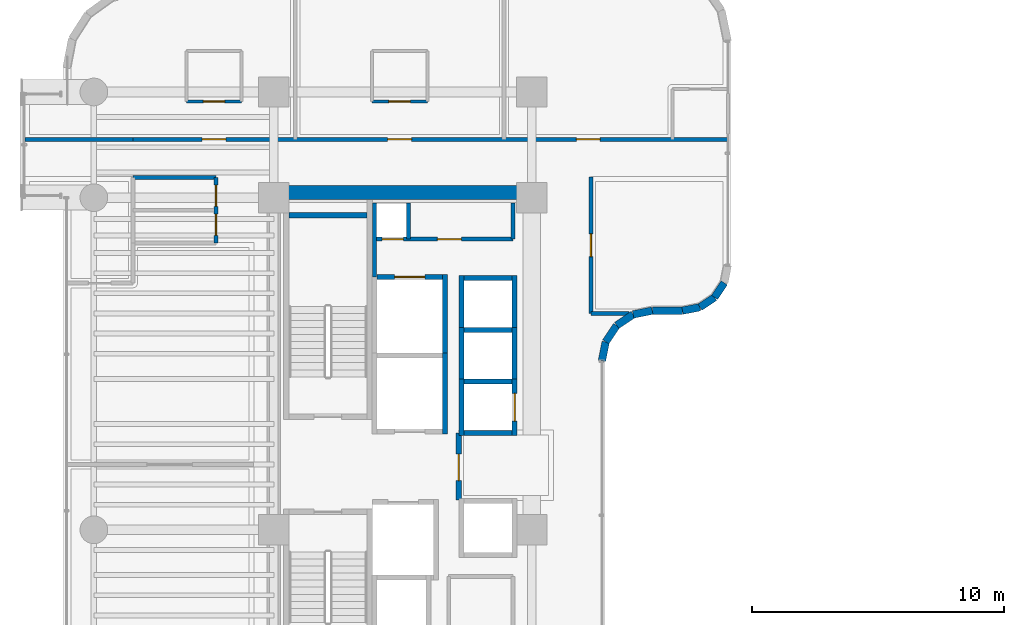
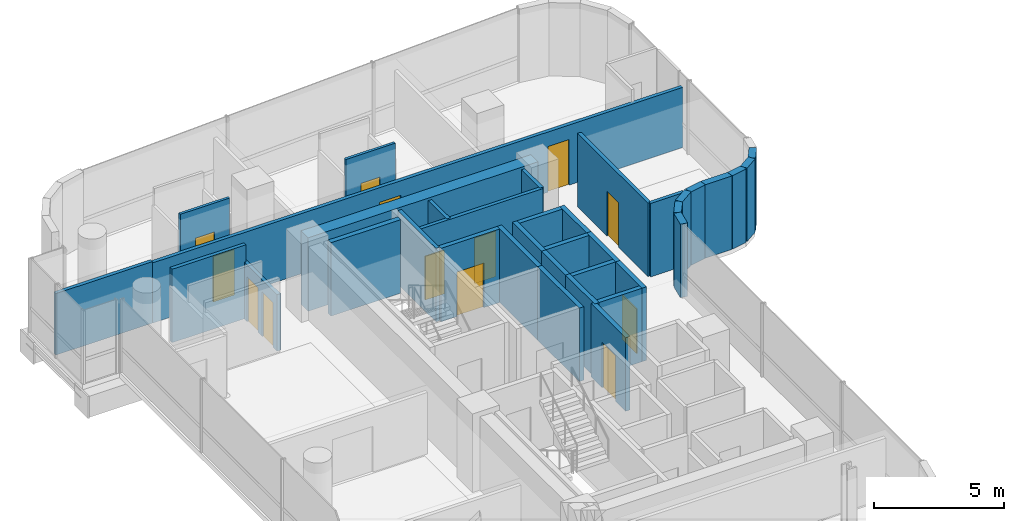
# One storey, part 26 of 33: 36 walls, 13 doors, 13 openings.
"""IFC4 building model written with IfcOpenShell, lengths in metres."""

from ifc_helpers import new_model, si_unit, direction, frame, frame_2d, origin, place, context, subcontext, project, spatial, rectangle, extrude, material, layer, layer_set, type_object, element, fill, save


model = new_model("IFC4")

# Units and contexts
model_context = context("Model", 3, precision=1e-05, world=origin(), true_north=direction((0.0, 1.0)))
body_context = subcontext(model_context, "Body", "Model", "MODEL_VIEW")
ifc_project = project(units=[si_unit("LENGTHUNIT", "METRE"), si_unit("AREAUNIT", "SQUARE_METRE"), si_unit("VOLUMEUNIT", "CUBIC_METRE"), si_unit("PLANEANGLEUNIT", "RADIAN"), si_unit("MASSUNIT", "GRAM", prefix="KILO")], contexts=[model_context])

# Site, building, storey
site_placement = place(None, origin())
site = spatial("IfcSite", under=ifc_project, at=site_placement, CompositionType="ELEMENT")
building_placement = place(site_placement, origin())
building = spatial("IfcBuilding", under=site, at=building_placement, Name="Valdorenza Pilgrim Sanctuary Tower", CompositionType="ELEMENT")
storey_placement = place(building_placement, frame((0.0, 0.0, 157.5)))
storey = spatial("IfcBuildingStorey", under=building, at=storey_placement, Name="L40", CompositionType="ELEMENT", Elevation=157.5)

# Wall
ifc_material_1 = material(Name="Acoustic twin-stud gypsum partition", Category="gypsum")
ifc_layer_1 = layer(ifc_material_1, 0.159912109375, Name="Acoustic twin-stud gypsum partition")
ifc_layer_set_1 = layer_set([ifc_layer_1], Name="Acoustic twin-stud gypsum partition")
wall_type_1 = type_object("IfcWallType", Name="WAL-COR-160", PredefinedType="PARTITIONING", material=ifc_layer_set_1)
wall_1_placement = place(storey_placement, frame((-18.64990234375, 7.449951171875, 0.0), z_axis=(0.0, 0.0, 1.0), x_axis=(0.0, 1.0, 0.0)))
element("IfcWall", 1, at=wall_1_placement, inside=storey, type_object=wall_type_1, Name="L40 Core A North Service West Wall", PredefinedType="PARTITIONING", context=body_context, shape_type="SweptSolid", body=[
    extrude(rectangle(XDim=2.929931640625, YDim=0.159912109375, at=frame_2d((1.46484375, 0.0))), origin(), (0.0, 0.0, 1.0), 3.4599609375),
])

# Wall, openings, doors
wall_2_placement = place(storey_placement, frame((-18.64990234375, 8.949951171875, 0.0), z_axis=(0.0, 0.0, 1.0), x_axis=(1.0, 0.0, 0.0)))
wall_2 = element("IfcWall", 2, at=wall_2_placement, inside=storey, type_object=wall_type_1, Name="L40 Core A North Service South Wall", PredefinedType="PARTITIONING", context=body_context, shape_type="SweptSolid", body=[
    extrude(rectangle(XDim=5.5, YDim=0.159912109375, at=frame_2d((2.75, 0.0))), origin(), (0.0, 0.0, 1.0), 3.4599609375),
])
opening_1_placement = place(wall_2_placement, frame((0.300048828125, 0.0, 0.0)))
opening_1 = element("IfcOpeningElement", 3, at=opening_1_placement, cuts=wall_2, Name="Opening DR-RS1", PredefinedType="OPENING", context=body_context, shape_type="SweptSolid", body=[
    extrude(rectangle(XDim=0.85009765625, YDim=2.050048828125, at=frame_2d((0.425048828125, 1.02490234375))), frame((0.0, 0.0947265625, 0.0), z_axis=(0.0, -1.0, 0.0), x_axis=(1.0, 0.0, 0.0)), (0.0, 0.0, 1.0), 0.189697265625),
])
opening_2_placement = place(wall_2_placement, frame((2.5, 0.0, 0.0)))
opening_2 = element("IfcOpeningElement", 4, at=opening_2_placement, cuts=wall_2, Name="Opening DR-UN1", PredefinedType="OPENING", context=body_context, shape_type="SweptSolid", body=[
    extrude(rectangle(XDim=0.949951171875, YDim=2.14990234375, at=frame_2d((0.47509765625, 1.074951171875))), frame((0.0, 0.0947265625, 0.0), z_axis=(0.0, -1.0, 0.0), x_axis=(1.0, 0.0, 0.0)), (0.0, 0.0, 1.0), 0.189697265625),
])
ifc_material_2 = material(Name="Painted galvanized steel", Category="steel")
door_type_1 = type_object("IfcDoorType", Name="DR-RSR-850", OperationType="NOTDEFINED", PredefinedType="DOOR", material=ifc_material_2)
door_1_placement = place(opening_1_placement, origin())
door_1 = element("IfcDoor", 5, at=door_1_placement, inside=storey, type_object=door_type_1, Name="L40 Core Electrical and Telecom Riser Door", OperationType="SINGLE_SWING_LEFT", OverallHeight=2.050048828125, OverallWidth=0.85009765625, PredefinedType="DOOR", context=body_context, shape_type="SweptSolid", body=[
    extrude(rectangle(XDim=0.85009765625, YDim=2.050048828125, at=frame_2d((0.425048828125, 1.02490234375))), frame((0.0, 0.02490234375, 0.0), z_axis=(0.0, -1.0, 0.0), x_axis=(1.0, 0.0, 0.0)), (0.0, 0.0, 1.0), 0.050048828125),
])
fill(opening_1, door_1)
ifc_material_3 = material(Name="Solid-core European oak timber", Category="wood")
door_type_2 = type_object("IfcDoorType", Name="DR-UNIT-950", OperationType="NOTDEFINED", PredefinedType="DOOR", material=ifc_material_3)
door_2_placement = place(opening_2_placement, origin())
door_2 = element("IfcDoor", 6, at=door_2_placement, inside=storey, type_object=door_type_2, Name="L40 Housekeeping and Clean Linen Room Door", OperationType="SINGLE_SWING_RIGHT", OverallHeight=2.14990234375, OverallWidth=0.949951171875, PredefinedType="DOOR", context=body_context, shape_type="SweptSolid", body=[
    extrude(rectangle(XDim=0.949951171875, YDim=2.14990234375, at=frame_2d((0.47509765625, 1.074951171875))), frame((0.0, 0.02490234375, 0.0), z_axis=(0.0, -1.0, 0.0), x_axis=(1.0, 0.0, 0.0)), (0.0, 0.0, 1.0), 0.050048828125),
])
fill(opening_2, door_2)

# Walls
for number, where, z_axis, x_axis, name in (
    (7, (-13.14990234375, 8.949951171875, 0.0), (0.0, 0.0, 1.0), (0.0, 1.0, 0.0), "L40 Core A North Service East Wall"),
    (8, (-17.300048828125, 8.949951171875, 0.0), (0.0, 0.0, 1.0), (0.0, 1.0, 0.0), "L40 Core Electrical Riser Wall"),
):
    element("IfcWall", number, at=place(storey_placement, frame(where, z_axis=z_axis, x_axis=x_axis)), inside=storey, type_object=wall_type_1, Name=name, PredefinedType="PARTITIONING", context=body_context, shape_type="SweptSolid", body=[
        extrude(rectangle(XDim=1.429931640625, YDim=0.159912109375, at=frame_2d((0.71484375, 0.0))), origin(), (0.0, 0.0, 1.0), 3.4599609375),
    ])

# Wall, openings, doors
wall_3_placement = place(storey_placement, frame((-24.949951171875, 8.800048828125, 0.0), z_axis=(0.0, 0.0, 1.0), x_axis=(0.0, 1.0, 0.0)))
wall_3 = element("IfcWall", 9, at=wall_3_placement, inside=storey, type_object=wall_type_1, Name="L40 Washroom East Wall", PredefinedType="PARTITIONING", context=body_context, shape_type="SweptSolid", body=[
    extrude(rectangle(XDim=2.599853515625, YDim=0.159912109375, at=frame_2d((1.2998046875, 0.0))), origin(), (0.0, 0.0, 1.0), 2.666015625),
])
opening_3_placement = place(wall_3_placement, frame((0.300048828125, 0.0, 0.0)))
opening_3 = element("IfcOpeningElement", 10, at=opening_3_placement, cuts=wall_3, Name="Opening DR-WC1", PredefinedType="OPENING", context=body_context, shape_type="SweptSolid", body=[
    extrude(rectangle(XDim=0.85009765625, YDim=2.10009765625, at=frame_2d((0.425048828125, 1.050048828125))), frame((0.0, 0.0947265625, 0.0), z_axis=(0.0, -1.0, 0.0), x_axis=(1.0, 0.0, 0.0)), (0.0, 0.0, 1.0), 0.189697265625),
])
opening_4_placement = place(wall_3_placement, frame((1.449951171875, 0.0, 0.0)))
opening_4 = element("IfcOpeningElement", 11, at=opening_4_placement, cuts=wall_3, Name="Opening DR-WC1", PredefinedType="OPENING", context=body_context, shape_type="SweptSolid", body=[
    extrude(rectangle(XDim=0.85009765625, YDim=2.10009765625, at=frame_2d((0.425048828125, 1.050048828125))), frame((0.0, 0.0947265625, 0.0), z_axis=(0.0, -1.0, 0.0), x_axis=(1.0, 0.0, 0.0)), (0.0, 0.0, 1.0), 0.189697265625),
])
ifc_material_4 = material(Name="Moisture-resistant lacquered timber", Category="wood")
door_type_3 = type_object("IfcDoorType", Name="DR-BATH-850", OperationType="NOTDEFINED", PredefinedType="DOOR", material=ifc_material_4)
door_3_placement = place(opening_3_placement, origin())
door_3 = element("IfcDoor", 12, at=door_3_placement, inside=storey, type_object=door_type_3, Name="L40 Accessible Washroom Door", OperationType="SINGLE_SWING_RIGHT", OverallHeight=2.10009765625, OverallWidth=0.85009765625, PredefinedType="DOOR", context=body_context, shape_type="SweptSolid", body=[
    extrude(rectangle(XDim=0.85009765625, YDim=2.10009765625, at=frame_2d((0.425048828125, 1.050048828125))), frame((0.0, 0.02490234375, 0.0), z_axis=(0.0, -1.0, 0.0), x_axis=(1.0, 0.0, 0.0)), (0.0, 0.0, 1.0), 0.050048828125),
])
fill(opening_3, door_3)
door_4_placement = place(opening_4_placement, origin())
door_4 = element("IfcDoor", 13, at=door_4_placement, inside=storey, type_object=door_type_3, Name="L40 Public Washroom Door", OperationType="SINGLE_SWING_LEFT", OverallHeight=2.10009765625, OverallWidth=0.85009765625, PredefinedType="DOOR", context=body_context, shape_type="SweptSolid", body=[
    extrude(rectangle(XDim=0.85009765625, YDim=2.10009765625, at=frame_2d((0.425048828125, 1.050048828125))), frame((0.0, 0.02490234375, 0.0), z_axis=(0.0, -1.0, 0.0), x_axis=(1.0, 0.0, 0.0)), (0.0, 0.0, 1.0), 0.050048828125),
])
fill(opening_4, door_4)

# Walls
wall_4_placement = place(storey_placement, frame((-28.25, 11.39990234375, 0.0), z_axis=(0.0, 0.0, 1.0), x_axis=(1.0, 0.0, 0.0)))
element("IfcWall", 14, at=wall_4_placement, inside=storey, type_object=wall_type_1, Name="L40 Washroom North Wall", PredefinedType="PARTITIONING", context=body_context, shape_type="SweptSolid", body=[
    extrude(rectangle(XDim=3.300048828125, YDim=0.159912109375, at=frame_2d((1.64990234375, 0.0))), origin(), (0.0, 0.0, 1.0), 3.4599609375),
])
wall_5_placement = place(storey_placement, frame((-32.5400390625, 12.919921875, 0.0), z_axis=(0.0, 0.0, 1.0), x_axis=(1.0, 0.0, 0.0)))
element("IfcWall", 15, at=wall_5_placement, inside=storey, type_object=wall_type_1, Name="L40 Cloister North Solid Partition", PredefinedType="PARTITIONING", context=body_context, shape_type="SweptSolid", body=[
    extrude(rectangle(XDim=4.2900390625, YDim=0.159912109375, at=frame_2d((2.14501953125, 0.0))), origin(), (0.0, 0.0, 1.0), 2.89599609375),
])

# Wall, openings, doors
wall_6_placement = place(storey_placement, frame((-28.25, 12.919921875, 0.0), z_axis=(0.0, 0.0, 1.0), x_axis=(1.0, 0.0, 0.0)))
wall_6 = element("IfcWall", 16, at=wall_6_placement, inside=storey, type_object=wall_type_1, Name="L40 North Corridor Wall", PredefinedType="PARTITIONING", context=body_context, shape_type="SweptSolid", body=[
    extrude(rectangle(XDim=23.639892578125, YDim=0.159912109375, at=frame_2d((11.81982421875, 0.0))), origin(), (0.0, 0.0, 1.0), 2.833984375),
])
opening_5_placement = place(wall_6_placement, frame((2.75, 0.0, 0.0)))
opening_5 = element("IfcOpeningElement", 17, at=opening_5_placement, cuts=wall_6, Name="Opening DR-UN1", PredefinedType="OPENING", context=body_context, shape_type="SweptSolid", body=[
    extrude(rectangle(XDim=0.949951171875, YDim=2.14990234375, at=frame_2d((0.47509765625, 1.074951171875))), frame((0.0, 0.0947265625, 0.0), z_axis=(0.0, -1.0, 0.0), x_axis=(1.0, 0.0, 0.0)), (0.0, 0.0, 1.0), 0.189697265625),
])
opening_6_placement = place(wall_6_placement, frame((10.125, 0.0, 0.0)))
opening_6 = element("IfcOpeningElement", 18, at=opening_6_placement, cuts=wall_6, Name="Opening DR-UN1", PredefinedType="OPENING", context=body_context, shape_type="SweptSolid", body=[
    extrude(rectangle(XDim=0.949951171875, YDim=2.14990234375, at=frame_2d((0.47509765625, 1.074951171875))), frame((0.0, 0.0947265625, 0.0), z_axis=(0.0, -1.0, 0.0), x_axis=(1.0, 0.0, 0.0)), (0.0, 0.0, 1.0), 0.189697265625),
])
opening_7_placement = place(wall_6_placement, frame((17.6201171875, 0.0, 0.0)))
opening_7 = element("IfcOpeningElement", 19, at=opening_7_placement, cuts=wall_6, Name="Opening DR-UN1", PredefinedType="OPENING", context=body_context, shape_type="SweptSolid", body=[
    extrude(rectangle(XDim=0.949951171875, YDim=2.14990234375, at=frame_2d((0.47509765625, 1.074951171875))), frame((0.0, 0.0947265625, 0.0), z_axis=(0.0, -1.0, 0.0), x_axis=(1.0, 0.0, 0.0)), (0.0, 0.0, 1.0), 0.189697265625),
])
door_5_placement = place(opening_5_placement, frame((0.949951171875, 0.0, 0.0), z_axis=(0.0, 0.0, 1.0), x_axis=(-1.0, 0.0, 0.0)))
door_5 = element("IfcDoor", 20, at=door_5_placement, inside=storey, type_object=door_type_2, Name="L40 North Guest Room L40-N1 Entrance Door", OperationType="SINGLE_SWING_LEFT", OverallHeight=2.14990234375, OverallWidth=0.949951171875, PredefinedType="DOOR", context=body_context, shape_type="SweptSolid", body=[
    extrude(rectangle(XDim=0.949951171875, YDim=2.14990234375, at=frame_2d((0.47509765625, 1.074951171875))), frame((0.0, 0.02490234375, 0.0), z_axis=(0.0, -1.0, 0.0), x_axis=(1.0, 0.0, 0.0)), (0.0, 0.0, 1.0), 0.050048828125),
])
fill(opening_5, door_5)
door_6_placement = place(opening_6_placement, frame((0.949951171875, 0.0, 0.0), z_axis=(0.0, 0.0, 1.0), x_axis=(-1.0, 0.0, 0.0)))
door_6 = element("IfcDoor", 21, at=door_6_placement, inside=storey, type_object=door_type_2, Name="L40 North Guest Room L40-N2 Entrance Door", OperationType="SINGLE_SWING_LEFT", OverallHeight=2.14990234375, OverallWidth=0.949951171875, PredefinedType="DOOR", context=body_context, shape_type="SweptSolid", body=[
    extrude(rectangle(XDim=0.949951171875, YDim=2.14990234375, at=frame_2d((0.47509765625, 1.074951171875))), frame((0.0, 0.02490234375, 0.0), z_axis=(0.0, -1.0, 0.0), x_axis=(1.0, 0.0, 0.0)), (0.0, 0.0, 1.0), 0.050048828125),
])
fill(opening_6, door_6)
door_7_placement = place(opening_7_placement, frame((0.949951171875, 0.0, 0.0), z_axis=(0.0, 0.0, 1.0), x_axis=(-1.0, 0.0, 0.0)))
door_7 = element("IfcDoor", 22, at=door_7_placement, inside=storey, type_object=door_type_2, Name="L40 North Guest Room L40-N3 Entrance Door", OperationType="SINGLE_SWING_LEFT", OverallHeight=2.14990234375, OverallWidth=0.949951171875, PredefinedType="DOOR", context=body_context, shape_type="SweptSolid", body=[
    extrude(rectangle(XDim=0.949951171875, YDim=2.14990234375, at=frame_2d((0.47509765625, 1.074951171875))), frame((0.0, 0.02490234375, 0.0), z_axis=(0.0, -1.0, 0.0), x_axis=(1.0, 0.0, 0.0)), (0.0, 0.0, 1.0), 0.050048828125),
])
fill(opening_7, door_7)

# Wall, opening, door
wall_7_placement = place(storey_placement, frame((-10.050048828125, 6.0, 0.0), z_axis=(0.0, 0.0, 1.0), x_axis=(0.0, 1.0, 0.0)))
wall_7 = element("IfcWall", 23, at=wall_7_placement, inside=storey, type_object=wall_type_1, Name="L40 East Stub Corridor Wall", PredefinedType="PARTITIONING", context=body_context, shape_type="SweptSolid", body=[
    extrude(rectangle(XDim=5.419921875, YDim=0.159912109375, at=frame_2d((2.7099609375, 0.0))), origin(), (0.0, 0.0, 1.0), 3.4599609375),
])
opening_8_placement = place(wall_7_placement, frame((2.260009765625, 0.0, 0.0)))
opening_8 = element("IfcOpeningElement", 24, at=opening_8_placement, cuts=wall_7, Name="Opening DR-RM1", PredefinedType="OPENING", context=body_context, shape_type="SweptSolid", body=[
    extrude(rectangle(XDim=0.89990234375, YDim=2.10009765625, at=frame_2d((0.449951171875, 1.050048828125))), frame((0.0, 0.0947265625, 0.0), z_axis=(0.0, -1.0, 0.0), x_axis=(1.0, 0.0, 0.0)), (0.0, 0.0, 1.0), 0.189697265625),
])
door_type_4 = type_object("IfcDoorType", Name="DR-ROOM-900", OperationType="NOTDEFINED", PredefinedType="DOOR", material=ifc_material_3)
door_8_placement = place(opening_8_placement, frame((0.89990234375, 0.0, 0.0), z_axis=(0.0, 0.0, 1.0), x_axis=(-1.0, 0.0, 0.0)))
door_8 = element("IfcDoor", 25, at=door_8_placement, inside=storey, type_object=door_type_4, Name="L40 Sacred Art Exhibition Gallery L40-E1 Door", OperationType="SINGLE_SWING_LEFT", OverallHeight=2.10009765625, OverallWidth=0.89990234375, PredefinedType="DOOR", context=body_context, shape_type="SweptSolid", body=[
    extrude(rectangle(XDim=0.89990234375, YDim=2.10009765625, at=frame_2d((0.449951171875, 1.050048828125))), frame((0.0, 0.02490234375, 0.0), z_axis=(0.0, -1.0, 0.0), x_axis=(1.0, 0.0, 0.0)), (0.0, 0.0, 1.0), 0.050048828125),
])
fill(opening_8, door_8)

# Walls
wall_8_placement = place(storey_placement, frame((-10.050048828125, 6.0, 0.0), z_axis=(0.0, 0.0, 1.0), x_axis=(1.0, 0.0, 0.0)))
element("IfcWall", 26, at=wall_8_placement, inside=storey, type_object=wall_type_1, Name="L40 East Stub South Wall", PredefinedType="PARTITIONING", context=body_context, shape_type="SweptSolid", body=[
    extrude(rectangle(XDim=1.516357421875, YDim=0.159912109375, at=frame_2d((0.75830078125, 0.0))), origin(), (0.0, 0.0, 1.0), 3.4599609375),
])
ifc_material_5 = material(Name="Concrete C50/60", Category="concrete")
ifc_layer_2 = layer(ifc_material_5, 0.550048828125, Name="Concrete C50/60")
ifc_layer_set_2 = layer_set([ifc_layer_2], Name="Concrete C50/60")
wall_type_2 = type_object("IfcWallType", Name="WAL-COR-550", PredefinedType="SHEAR", material=ifc_layer_set_2)
wall_9_placement = place(storey_placement, frame((-22.64990234375, 10.800048828125, 0.0), z_axis=(0.0, 0.0, 1.0), x_axis=(1.0, 0.0, 0.0)))
element("IfcWall", 27, at=wall_9_placement, inside=storey, type_object=wall_type_2, Name="L40 Split Core A Shear Wall N", PredefinedType="SHEAR", context=body_context, shape_type="SweptSolid", body=[
    extrude(rectangle(XDim=10.25, YDim=0.550048828125, at=frame_2d((5.125, 0.0))), origin(), (0.0, 0.0, 1.0), 3.4599609375),
])
ifc_material_6 = material(Name="Honed travertine limestone", Category="masonry")
ifc_layer_3 = layer(ifc_material_6, 0.300048828125, Name="Honed travertine limestone")
ifc_layer_set_3 = layer_set([ifc_layer_3], Name="Honed travertine limestone")
wall_type_3 = type_object("IfcWallType", Name="WAL-EXT-300", PredefinedType="SOLIDWALL", material=ifc_layer_set_3)
for number, where, z_axis, x_axis, name in (
    (28, (-4.748291015625, 7.2158203125, 0.0), (0.0, 0.0, 1.0), (-0.555426877366, -0.831565381614, 0.0), "L40 Rounded Wind-Corner Stone Pier 13"),
    (29, (-5.1357421875, 6.6357421875, 0.0), (0.0, 0.0, 1.0), (-0.831565381614, -0.555426877366, 0.0), "L40 Rounded Wind-Corner Stone Pier 14"),
):
    element("IfcWall", number, at=place(storey_placement, frame(where, z_axis=z_axis, x_axis=x_axis)), inside=storey, type_object=wall_type_3, Name=name, PredefinedType="SOLIDWALL", context=body_context, shape_type="SweptSolid", body=[
        extrude(rectangle(XDim=0.697509765625, YDim=0.300048828125, at=frame_2d((0.3486328125, 0.0))), origin(), (0.0, 0.0, 1.0), 3.4599609375),
    ])
wall_10_placement = place(storey_placement, frame((-5.7158203125, 6.248291015625, 0.0), z_axis=(0.0, 0.0, 1.0), x_axis=(-0.980805282058, -0.194989739953, 0.0)))
element("IfcWall", 30, at=wall_10_placement, inside=storey, type_object=wall_type_3, Name="L40 Rounded Wind-Corner Stone Pier 15", PredefinedType="SOLIDWALL", context=body_context, shape_type="SweptSolid", body=[
    extrude(rectangle(XDim=0.708740234375, YDim=0.300048828125, at=frame_2d((0.3544921875, 0.0))), origin(), (0.0, 0.0, 1.0), 3.4599609375),
])
wall_11_placement = place(storey_placement, frame((-6.410888671875, 6.110107421875, 0.0), z_axis=(0.0, 0.0, 1.0), x_axis=(-1.0, 0.0, 0.0)))
element("IfcWall", 31, at=wall_11_placement, inside=storey, type_object=wall_type_3, Name="L40 Rounded Wind-Corner Stone Pier 16", PredefinedType="SOLIDWALL", context=body_context, shape_type="SweptSolid", body=[
    extrude(rectangle(XDim=1.199951171875, YDim=0.300048828125, at=frame_2d((0.60009765625, 0.0))), origin(), (0.0, 0.0, 1.0), 3.4599609375),
])
wall_12_placement = place(storey_placement, frame((-7.61083984375, 6.110107421875, 0.0), z_axis=(0.0, 0.0, 1.0), x_axis=(-0.98076219082, -0.195206365311, 0.0)))
element("IfcWall", 32, at=wall_12_placement, inside=storey, type_object=wall_type_3, Name="L40 Rounded Wind-Corner Stone Pier 17", PredefinedType="SOLIDWALL", context=body_context, shape_type="SweptSolid", body=[
    extrude(rectangle(XDim=0.774169921875, YDim=0.300048828125, at=frame_2d((0.38720703125, 0.0))), origin(), (0.0, 0.0, 1.0), 3.4599609375),
])
for number, where, z_axis, x_axis, name in (
    (33, (-8.3701171875, 5.958984375, 0.0), (0.0, 0.0, 1.0), (-0.831331880615, -0.555776307766, 0.0), "L40 Rounded Wind-Corner Stone Pier 18"),
    (34, (-9.022705078125, 5.522705078125, 0.0), (0.0, 0.0, 1.0), (-0.555776307766, -0.831331880615, 0.0), "L40 Rounded Wind-Corner Stone Pier 19"),
):
    element("IfcWall", number, at=place(storey_placement, frame(where, z_axis=z_axis, x_axis=x_axis)), inside=storey, type_object=wall_type_3, Name=name, PredefinedType="SOLIDWALL", context=body_context, shape_type="SweptSolid", body=[
        extrude(rectangle(XDim=0.784912109375, YDim=0.300048828125, at=frame_2d((0.392578125, 0.0))), origin(), (0.0, 0.0, 1.0), 3.4599609375),
    ])
wall_13_placement = place(storey_placement, frame((-9.458984375, 4.8701171875, 0.0), z_axis=(0.0, 0.0, 1.0), x_axis=(-0.195206365311, -0.98076219082, 0.0)))
element("IfcWall", 35, at=wall_13_placement, inside=storey, type_object=wall_type_3, Name="L40 Rounded Wind-Corner Stone Pier 20", PredefinedType="SOLIDWALL", context=body_context, shape_type="SweptSolid", body=[
    extrude(rectangle(XDim=0.774169921875, YDim=0.300048828125, at=frame_2d((0.38720703125, 0.0))), origin(), (0.0, 0.0, 1.0), 3.4599609375),
])

# Wall, opening, door
ifc_material_7 = material(Name="Gypsum shaftwall partition", Category="gypsum")
ifc_layer_4 = layer(ifc_material_7, 0.199951171875, Name="Gypsum shaftwall partition")
ifc_layer_set_4 = layer_set([ifc_layer_4], Name="Gypsum shaftwall partition")
wall_type_4 = type_object("IfcWallType", Name="WAL-FFL-200", PredefinedType="PARTITIONING", material=ifc_layer_set_4)
wall_14_placement = place(storey_placement, frame((-15.300048828125, -1.419921875, 0.0), z_axis=(0.0, 0.0, 1.0), x_axis=(0.0, 1.0, 0.0)))
wall_14 = element("IfcWall", 36, at=wall_14_placement, inside=storey, type_object=wall_type_4, Name="L40 Core A Firefighting Lobby East Wall", PredefinedType="PARTITIONING", context=body_context, shape_type="SweptSolid", body=[
    extrude(rectangle(XDim=2.669921875, YDim=0.199951171875, at=frame_2d((1.3349609375, 0.0))), origin(), (0.0, 0.0, 1.0), 3.4599609375),
])
opening_9_placement = place(wall_14_placement, frame((0.780029296875, 0.0, 0.0)))
opening_9 = element("IfcOpeningElement", 37, at=opening_9_placement, cuts=wall_14, Name="Opening DR-FL1", PredefinedType="OPENING", context=body_context, shape_type="SweptSolid", body=[
    extrude(rectangle(XDim=1.050048828125, YDim=2.14990234375, at=frame_2d((0.52490234375, 1.074951171875))), frame((0.0, 0.11474609375, 0.0), z_axis=(0.0, -1.0, 0.0), x_axis=(1.0, 0.0, 0.0)), (0.0, 0.0, 1.0), 0.229736328125),
])
door_type_5 = type_object("IfcDoorType", Name="DR-FFL-1050", OperationType="NOTDEFINED", PredefinedType="DOOR", material=ifc_material_2)
door_9_placement = place(opening_9_placement, origin())
door_9 = element("IfcDoor", 38, at=door_9_placement, inside=storey, type_object=door_type_5, Name="L40 Core A Firefighting Lobby Door", OperationType="SINGLE_SWING_RIGHT", OverallHeight=2.14990234375, OverallWidth=1.050048828125, PredefinedType="DOOR", context=body_context, shape_type="SweptSolid", body=[
    extrude(rectangle(XDim=1.050048828125, YDim=2.14990234375, at=frame_2d((0.52490234375, 1.074951171875))), frame((0.0, 0.02490234375, 0.0), z_axis=(0.0, -1.0, 0.0), x_axis=(1.0, 0.0, 0.0)), (0.0, 0.0, 1.0), 0.050048828125),
])
fill(opening_9, door_9)

ifc_material_8 = material(Name="Moisture-resistant gypsum partition", Category="gypsum")
ifc_layer_5 = layer(ifc_material_8, 0.1201171875, Name="Moisture-resistant gypsum partition")
ifc_layer_set_5 = layer_set([ifc_layer_5], Name="Moisture-resistant gypsum partition")
wall_type_5 = type_object("IfcWallType", Name="WAL-INT-120", PredefinedType="PARTITIONING", material=ifc_layer_set_5)
wall_15_placement = place(storey_placement, frame((-26.125, 14.419921875, 0.0), z_axis=(0.0, 0.0, 1.0), x_axis=(1.0, 0.0, 0.0)))
wall_15 = element("IfcWall", 39, at=wall_15_placement, inside=storey, type_object=wall_type_5, Name="L40 North Guest Room L40-N1 En-suite Door Wall", PredefinedType="PARTITIONING", context=body_context, shape_type="SweptSolid", body=[
    extrude(rectangle(XDim=2.199951171875, YDim=0.1201171875, at=frame_2d((1.10009765625, 0.0))), origin(), (0.0, 0.0, 1.0), 3.4599609375),
])
opening_10_placement = place(wall_15_placement, frame((0.675048828125, 0.0, 0.0)))
opening_10 = element("IfcOpeningElement", 40, at=opening_10_placement, cuts=wall_15, Name="Opening DR-WC1", PredefinedType="OPENING", context=body_context, shape_type="SweptSolid", body=[
    extrude(rectangle(XDim=0.85009765625, YDim=2.10009765625, at=frame_2d((0.425048828125, 1.050048828125))), frame((0.0, 0.074951171875, 0.0), z_axis=(0.0, -1.0, 0.0), x_axis=(1.0, 0.0, 0.0)), (0.0, 0.0, 1.0), 0.14990234375),
])
door_10_placement = place(opening_10_placement, origin())
door_10 = element("IfcDoor", 41, at=door_10_placement, inside=storey, type_object=door_type_3, Name="L40 North Guest Room L40-N1 En-suite Bathroom Door", OperationType="SINGLE_SWING_RIGHT", OverallHeight=2.10009765625, OverallWidth=0.85009765625, PredefinedType="DOOR", context=body_context, shape_type="SweptSolid", body=[
    extrude(rectangle(XDim=0.85009765625, YDim=2.10009765625, at=frame_2d((0.425048828125, 1.050048828125))), frame((0.0, 0.02490234375, 0.0), z_axis=(0.0, -1.0, 0.0), x_axis=(1.0, 0.0, 0.0)), (0.0, 0.0, 1.0), 0.050048828125),
])
fill(opening_10, door_10)

wall_16_placement = place(storey_placement, frame((-18.75, 14.419921875, 0.0), z_axis=(0.0, 0.0, 1.0), x_axis=(1.0, 0.0, 0.0)))
wall_16 = element("IfcWall", 42, at=wall_16_placement, inside=storey, type_object=wall_type_5, Name="L40 North Guest Room L40-N2 En-suite Door Wall", PredefinedType="PARTITIONING", context=body_context, shape_type="SweptSolid", body=[
    extrude(rectangle(XDim=2.199951171875, YDim=0.1201171875, at=frame_2d((1.10009765625, 0.0))), origin(), (0.0, 0.0, 1.0), 3.4599609375),
])
opening_11_placement = place(wall_16_placement, frame((0.675048828125, 0.0, 0.0)))
opening_11 = element("IfcOpeningElement", 43, at=opening_11_placement, cuts=wall_16, Name="Opening DR-WC1", PredefinedType="OPENING", context=body_context, shape_type="SweptSolid", body=[
    extrude(rectangle(XDim=0.85009765625, YDim=2.10009765625, at=frame_2d((0.425048828125, 1.050048828125))), frame((0.0, 0.074951171875, 0.0), z_axis=(0.0, -1.0, 0.0), x_axis=(1.0, 0.0, 0.0)), (0.0, 0.0, 1.0), 0.14990234375),
])
door_11_placement = place(opening_11_placement, origin())
door_11 = element("IfcDoor", 44, at=door_11_placement, inside=storey, type_object=door_type_3, Name="L40 North Guest Room L40-N2 En-suite Bathroom Door", OperationType="SINGLE_SWING_RIGHT", OverallHeight=2.10009765625, OverallWidth=0.85009765625, PredefinedType="DOOR", context=body_context, shape_type="SweptSolid", body=[
    extrude(rectangle(XDim=0.85009765625, YDim=2.10009765625, at=frame_2d((0.425048828125, 1.050048828125))), frame((0.0, 0.02490234375, 0.0), z_axis=(0.0, -1.0, 0.0), x_axis=(1.0, 0.0, 0.0)), (0.0, 0.0, 1.0), 0.050048828125),
])
fill(opening_11, door_11)

# Walls
ifc_material_9 = material(Name="Autoclaved aerated concrete blockwork", Category="masonry")
ifc_layer_6 = layer(ifc_material_9, 0.199951171875, Name="Autoclaved aerated concrete blockwork")
ifc_layer_set_6 = layer_set([ifc_layer_6], Name="Autoclaved aerated concrete blockwork")
wall_type_6 = type_object("IfcWallType", Name="WAL-SHF-200", PredefinedType="MOVABLE", material=ifc_layer_set_6)
wall_17_placement = place(storey_placement, frame((-15.85009765625, 1.199951171875, 0.0), z_axis=(0.0, 0.0, 1.0), x_axis=(0.0, 1.0, 0.0)))
element("IfcWall", 45, at=wall_17_placement, inside=storey, type_object=wall_type_6, Name="L40 Lift FFL-01 Hoistway Wall East", PredefinedType="MOVABLE", context=body_context, shape_type="SweptSolid", body=[
    extrude(rectangle(XDim=3.22509765625, YDim=0.199951171875, at=frame_2d((1.612548828125, 0.0))), origin(), (0.0, 0.0, 1.0), 3.4599609375),
])
wall_18_placement = place(storey_placement, frame((-15.85009765625, 4.22509765625, 0.0), z_axis=(0.0, 0.0, 1.0), x_axis=(0.0, 1.0, 0.0)))
element("IfcWall", 46, at=wall_18_placement, inside=storey, type_object=wall_type_6, Name="L40 Lift SVL-01 Hoistway Wall East", PredefinedType="MOVABLE", context=body_context, shape_type="SweptSolid", body=[
    extrude(rectangle(XDim=3.324951171875, YDim=0.199951171875, at=frame_2d((1.66259765625, 0.0))), origin(), (0.0, 0.0, 1.0), 3.4599609375),
])

# Wall, opening, door
wall_19_placement = place(storey_placement, frame((-18.550048828125, 7.449951171875, 0.0), z_axis=(0.0, 0.0, 1.0), x_axis=(1.0, 0.0, 0.0)))
wall_19 = element("IfcWall", 47, at=wall_19_placement, inside=storey, type_object=wall_type_6, Name="L40 Lift SVL-01 Hoistway Wall North", PredefinedType="MOVABLE", context=body_context, shape_type="SweptSolid", body=[
    extrude(rectangle(XDim=2.60009765625, YDim=0.199951171875, at=frame_2d((1.300048828125, 0.0))), origin(), (0.0, 0.0, 1.0), 3.4599609375),
])
opening_12_placement = place(wall_19_placement, frame((0.699951171875, 0.0, 0.0)))
opening_12 = element("IfcOpeningElement", 48, at=opening_12_placement, cuts=wall_19, Name="Opening LD-02", PredefinedType="OPENING", context=body_context, shape_type="SweptSolid", body=[
    extrude(rectangle(XDim=1.199951171875, YDim=2.10009765625, at=frame_2d((0.60009765625, 1.050048828125))), frame((0.0, 0.11474609375, 0.0), z_axis=(0.0, -1.0, 0.0), x_axis=(1.0, 0.0, 0.0)), (0.0, 0.0, 1.0), 0.229736328125),
])
ifc_material_10 = material(Name="Brushed stainless steel Grade 316", Category="steel")
door_type_6 = type_object("IfcDoorType", Name="DR-LFT-1200", OperationType="DOUBLE_DOOR_SLIDING", PredefinedType="DOOR", material=ifc_material_10)
door_12_placement = place(opening_12_placement, origin())
door_12 = element("IfcDoor", 49, at=door_12_placement, inside=storey, type_object=door_type_6, Name="L40 Lift SVL-01 Sliding Landing Door", OperationType="DOUBLE_DOOR_SLIDING", OverallHeight=2.10009765625, OverallWidth=1.199951171875, PredefinedType="DOOR", context=body_context, shape_type="SweptSolid", body=[
    extrude(rectangle(XDim=1.199951171875, YDim=2.10009765625, at=frame_2d((0.60009765625, 1.050048828125))), frame((0.0, 0.02490234375, 0.0), z_axis=(0.0, -1.0, 0.0), x_axis=(1.0, 0.0, 0.0)), (0.0, 0.0, 1.0), 0.050048828125),
])
fill(opening_12, door_12)

# Wall
wall_20_placement = place(storey_placement, frame((-15.199951171875, 1.14990234375, 0.0), z_axis=(0.0, 0.0, 1.0), x_axis=(0.0, 1.0, 0.0)))
element("IfcWall", 50, at=wall_20_placement, inside=storey, type_object=wall_type_6, Name="L40 Lift PL-06 Hoistway Wall West", PredefinedType="MOVABLE", context=body_context, shape_type="SweptSolid", body=[
    extrude(rectangle(XDim=2.25, YDim=0.199951171875, at=frame_2d((1.125, 0.0))), origin(), (0.0, 0.0, 1.0), 3.4599609375),
])

# Wall, opening, door
wall_21_placement = place(storey_placement, frame((-13.080078125, 1.14990234375, 0.0), z_axis=(0.0, 0.0, 1.0), x_axis=(0.0, 1.0, 0.0)))
wall_21 = element("IfcWall", 51, at=wall_21_placement, inside=storey, type_object=wall_type_6, Name="L40 Lift PL-06 Hoistway Wall East", PredefinedType="MOVABLE", context=body_context, shape_type="SweptSolid", body=[
    extrude(rectangle(XDim=2.25, YDim=0.199951171875, at=frame_2d((1.125, 0.0))), origin(), (0.0, 0.0, 1.0), 3.4599609375),
])
opening_13_placement = place(wall_21_placement, frame((0.574951171875, 0.0, 0.0)))
opening_13 = element("IfcOpeningElement", 52, at=opening_13_placement, cuts=wall_21, Name="Opening LD-01", PredefinedType="OPENING", context=body_context, shape_type="SweptSolid", body=[
    extrude(rectangle(XDim=1.10009765625, YDim=2.10009765625, at=frame_2d((0.550048828125, 1.050048828125))), frame((0.0, 0.11474609375, 0.0), z_axis=(0.0, -1.0, 0.0), x_axis=(1.0, 0.0, 0.0)), (0.0, 0.0, 1.0), 0.229736328125),
])
door_type_7 = type_object("IfcDoorType", Name="DR-LFT-1100", OperationType="DOUBLE_DOOR_SLIDING", PredefinedType="DOOR", material=ifc_material_10)
door_13_placement = place(opening_13_placement, origin())
door_13 = element("IfcDoor", 53, at=door_13_placement, inside=storey, type_object=door_type_7, Name="L40 Lift PL-06 Sliding Landing Door", OperationType="DOUBLE_DOOR_SLIDING", OverallHeight=2.10009765625, OverallWidth=1.10009765625, PredefinedType="DOOR", context=body_context, shape_type="SweptSolid", body=[
    extrude(rectangle(XDim=1.10009765625, YDim=2.10009765625, at=frame_2d((0.550048828125, 1.050048828125))), frame((0.0, 0.02490234375, 0.0), z_axis=(0.0, -1.0, 0.0), x_axis=(1.0, 0.0, 0.0)), (0.0, 0.0, 1.0), 0.050048828125),
])
fill(opening_13, door_13)

# Walls
wall_22_placement = place(storey_placement, frame((-15.10009765625, 1.25, 0.0), z_axis=(0.0, 0.0, 1.0), x_axis=(1.0, 0.0, 0.0)))
element("IfcWall", 54, at=wall_22_placement, inside=storey, type_object=wall_type_6, Name="L40 Lift PL-06 Hoistway Wall South", PredefinedType="MOVABLE", context=body_context, shape_type="SweptSolid", body=[
    extrude(rectangle(XDim=1.920166015625, YDim=0.199951171875, at=frame_2d((0.9599609375, 0.0))), origin(), (0.0, 0.0, 1.0), 3.4599609375),
])
for number, where, z_axis, x_axis, name in (
    (55, (-15.199951171875, 3.199951171875, 0.0), (0.0, 0.0, 1.0), (0.0, 1.0, 0.0), "L40 Lift PL-09 Hoistway Wall West"),
    (56, (-13.080078125, 3.199951171875, 0.0), (0.0, 0.0, 1.0), (0.0, 1.0, 0.0), "L40 Lift PL-09 Hoistway Wall East"),
):
    element("IfcWall", number, at=place(storey_placement, frame(where, z_axis=z_axis, x_axis=x_axis)), inside=storey, type_object=wall_type_6, Name=name, PredefinedType="MOVABLE", context=body_context, shape_type="SweptSolid", body=[
        extrude(rectangle(XDim=2.25, YDim=0.199951171875, at=frame_2d((1.125, 0.0))), origin(), (0.0, 0.0, 1.0), 3.4599609375),
    ])
for number, where, z_axis, x_axis, name in (
    (57, (-15.10009765625, 3.300048828125, 0.0), (0.0, 0.0, 1.0), (1.0, 0.0, 0.0), "L40 Lift PL-09 Hoistway Wall South"),
    (58, (-15.10009765625, 5.35009765625, 0.0), (0.0, 0.0, 1.0), (1.0, 0.0, 0.0), "L40 Lift PL-09 Hoistway Wall North"),
):
    element("IfcWall", number, at=place(storey_placement, frame(where, z_axis=z_axis, x_axis=x_axis)), inside=storey, type_object=wall_type_6, Name=name, PredefinedType="MOVABLE", context=body_context, shape_type="SweptSolid", body=[
        extrude(rectangle(XDim=1.920166015625, YDim=0.199951171875, at=frame_2d((0.9599609375, 0.0))), origin(), (0.0, 0.0, 1.0), 3.4599609375),
    ])
for number, where, z_axis, x_axis, name in (
    (59, (-15.199951171875, 5.25, 0.0), (0.0, 0.0, 1.0), (0.0, 1.0, 0.0), "L40 Lift PL-10 Hoistway Wall West"),
    (60, (-13.080078125, 5.25, 0.0), (0.0, 0.0, 1.0), (0.0, 1.0, 0.0), "L40 Lift PL-10 Hoistway Wall East"),
):
    element("IfcWall", number, at=place(storey_placement, frame(where, z_axis=z_axis, x_axis=x_axis)), inside=storey, type_object=wall_type_6, Name=name, PredefinedType="MOVABLE", context=body_context, shape_type="SweptSolid", body=[
        extrude(rectangle(XDim=2.25, YDim=0.199951171875, at=frame_2d((1.125, 0.0))), origin(), (0.0, 0.0, 1.0), 3.4599609375),
    ])
wall_23_placement = place(storey_placement, frame((-15.10009765625, 7.39990234375, 0.0), z_axis=(0.0, 0.0, 1.0), x_axis=(1.0, 0.0, 0.0)))
element("IfcWall", 61, at=wall_23_placement, inside=storey, type_object=wall_type_6, Name="L40 Lift PL-10 Hoistway Wall North", PredefinedType="MOVABLE", context=body_context, shape_type="SweptSolid", body=[
    extrude(rectangle(XDim=1.920166015625, YDim=0.199951171875, at=frame_2d((0.9599609375, 0.0))), origin(), (0.0, 0.0, 1.0), 3.4599609375),
])
ifc_material_11 = material(Name="Concrete C40/50", Category="concrete")
ifc_layer_7 = layer(ifc_material_11, 0.219970703125, Name="Concrete C40/50")
ifc_layer_set_7 = layer_set([ifc_layer_7], Name="Concrete C40/50")
wall_type_7 = type_object("IfcWallType", Name="WAL-STR-SHF-220", PredefinedType="SHEAR", material=ifc_layer_set_7)
wall_24_placement = place(storey_placement, frame((-22.050048828125, 9.909912109375, 0.0), z_axis=(0.0, 0.0, 1.0), x_axis=(1.0, 0.0, 0.0)))
element("IfcWall", 62, at=wall_24_placement, inside=storey, type_object=wall_type_7, Name="L40 ST-A1 Structural Stairwell Wall N", PredefinedType="SHEAR", context=body_context, shape_type="SweptSolid", body=[
    extrude(rectangle(XDim=3.110107421875, YDim=0.219970703125, at=frame_2d((1.55517578125, 0.0))), origin(), (0.0, 0.0, 1.0), 3.4599609375),
])

save(model, "model.ifc")
